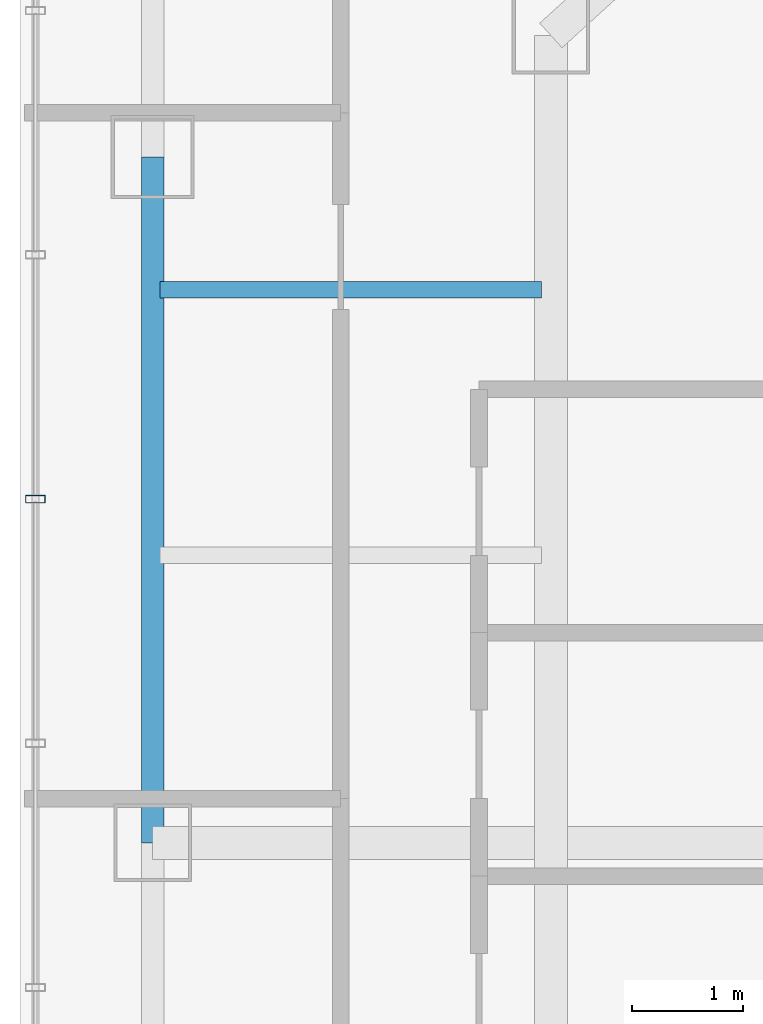
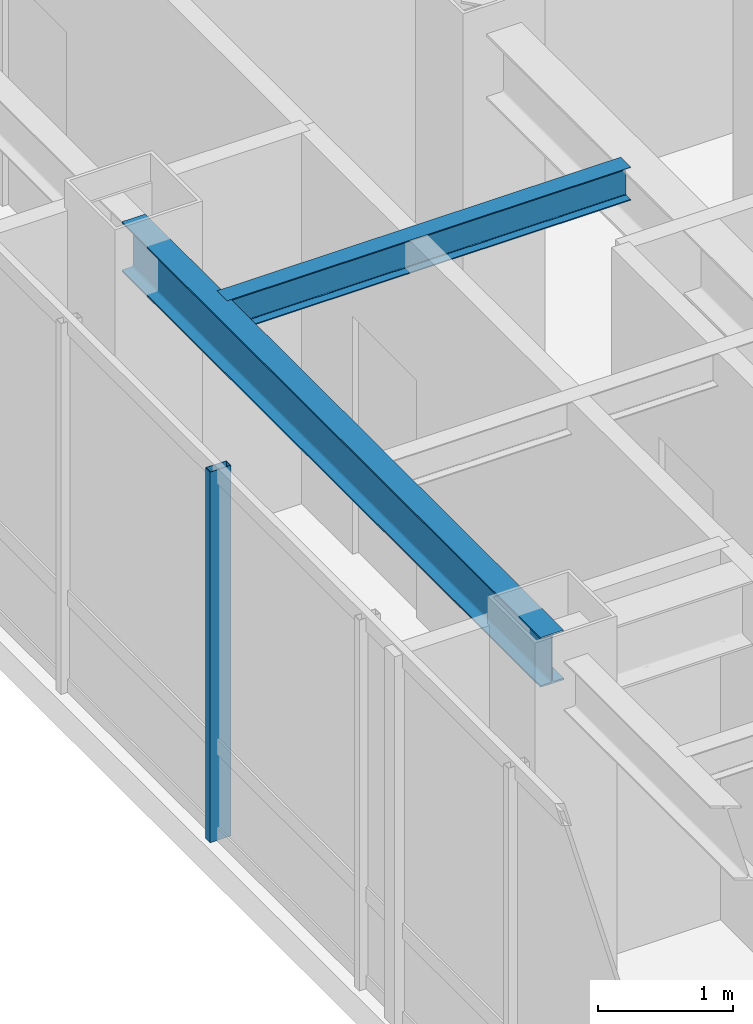
# One storey, part 8 of 24: 2 beams, 1 member, 1 element without a shape of its own.
"""IFC4 building model written with IfcOpenShell, lengths in metres."""

from ifc_helpers import new_model, si_unit, direction, frame, origin, origin_2d, place, context, subcontext, project, spatial, hollow_rectangle, i_section, extrude, material, layer, layer_set, material_profile, profile_set, type_object, element, aggregate, save


model = new_model("IFC4")

# Units and contexts
model_context = context("Model", 3, precision=1e-05, world=origin(), true_north=direction((0.0, 1.0)))
body_context = subcontext(model_context, "Body", "Model", "MODEL_VIEW")
ifc_project = project(units=[si_unit("LENGTHUNIT", "METRE"), si_unit("AREAUNIT", "SQUARE_METRE"), si_unit("VOLUMEUNIT", "CUBIC_METRE"), si_unit("PLANEANGLEUNIT", "RADIAN"), si_unit("MASSUNIT", "GRAM", prefix="KILO")], contexts=[model_context])

# Site, building, storey
site_placement = place(None, origin())
site = spatial("IfcSite", under=ifc_project, at=site_placement, CompositionType="ELEMENT")
building_placement = place(site_placement, origin())
building = spatial("IfcBuilding", under=site, at=building_placement, Name="Hatsunagi Terrace Concourse", CompositionType="ELEMENT")
storey_placement = place(building_placement, frame((0.0, 0.0, 213.14990234375)))
storey = spatial("IfcBuildingStorey", under=building, at=storey_placement, Name="L56", CompositionType="ELEMENT", Elevation=213.14990234375)

# Curtain wall, member
ifc_material_1 = material(Name="Anodised Aluminium Alloy 6063-T5", Category="aluminium")
ifc_layer = layer(ifc_material_1, 0.199951171875)
ifc_layer_set = layer_set([ifc_layer], Name="OfficeZone2_CW04")
curtain_wall_type = type_object("IfcCurtainWallType", Name="OfficeZone2_CW04", PredefinedType="NOTDEFINED", material=ifc_layer_set)
curtain_wall_placement = place(storey_placement, origin())
curtain_wall = element("IfcCurtainWall", 1, at=curtain_wall_placement, inside=storey, type_object=curtain_wall_type, Name="Unitised Curtain Wall CW-04 CW-L56-08", PredefinedType="NOTDEFINED")
ifc_material_2 = material(Name="Anodised Aluminium Alloy 6063-T5", Category="aluminium")
ifc_material_profile_1 = material_profile(ifc_material_2, hollow_rectangle(XDim=0.070068359375, YDim=0.179931640625, WallThickness=0.00390625, at=origin_2d()), Name="ALU-MUL-180x70x4")
ifc_profile_set_1 = profile_set([ifc_material_profile_1], Name="Anodised Aluminium Alloy 6063-T5")
member_type = type_object("IfcMemberType", Name="CurtainWallMullion_180x70", PredefinedType="MULLION", material=ifc_profile_set_1)
member_placement = place(storey_placement, frame((18.139892578125, 39.10791015625, 0.0), z_axis=(0.0, 0.0, 1.0), x_axis=(0.0, 1.0, 0.0)))
member = element("IfcMember", 2, at=member_placement, type_object=member_type, Name="Curtain Wall Mullion MUL-02", PredefinedType="MULLION", context=body_context, shape_type="SweptSolid", body=[
    extrude(hollow_rectangle(XDim=0.070068359375, YDim=0.179931640625, WallThickness=0.00390625, at=origin_2d()), origin(), (0.0, 0.0, 1.0), 3.35009765625),
])
aggregate(curtain_wall, [member])

# Beams
ifc_material_3 = material(Name="Steel SN490B", Category="steel")
ifc_material_profile_2 = material_profile(ifc_material_3, i_section(OverallWidth=0.14990234375, OverallDepth=0.300048828125, WebThickness=0.006591796875, FlangeThickness=0.009033203125, FilletRadius=0.010986328125, at=origin_2d()), Name="H-300x150x6.5x9")
ifc_profile_set_2 = profile_set([ifc_material_profile_2], Name="Steel SN490B")
beam_type_1 = type_object("IfcBeamType", Name="OfficeJoist_H_300x150", PredefinedType="JOIST", material=ifc_profile_set_2)
beam_1_placement = place(storey_placement, frame((19.264892578125, 41.0, 3.2001953125), z_axis=(1.0, 0.0, 0.0), x_axis=(0.0, 1.0, 0.0)))
element("IfcBeam", 3, at=beam_1_placement, inside=storey, type_object=beam_type_1, Name="Beam J-03 J-L56-W-19-410", PredefinedType="JOIST", context=body_context, shape_type="SweptSolid", body=[
    extrude(i_section(OverallWidth=0.14990234375, OverallDepth=0.300048828125, WebThickness=0.006591796875, FlangeThickness=0.009033203125, FilletRadius=0.010986328125, at=origin_2d()), origin(), (0.0, 0.0, 1.0), 3.4501953125),
])
ifc_material_4 = material(Name="Steel SN490B", Category="steel")
ifc_material_profile_3 = material_profile(ifc_material_4, i_section(OverallWidth=0.199951171875, OverallDepth=0.449951171875, WebThickness=0.009033203125, FlangeThickness=0.013916015625, FilletRadius=0.01611328125, at=origin_2d()), Name="H-450x200x9x14")
ifc_profile_set_3 = profile_set([ifc_material_profile_3], Name="Steel SN490B")
beam_type_2 = type_object("IfcBeamType", Name="PerimeterSpandrel_H_450x200", PredefinedType="SPANDREL", material=ifc_profile_set_3)
beam_2_placement = place(storey_placement, frame((19.199951171875, 36.0, 3.125), z_axis=(0.0, 1.0, 0.0), x_axis=(-1.0, 0.0, 0.0)))
element("IfcBeam", 4, at=beam_2_placement, inside=storey, type_object=beam_type_2, Name="Beam SP-02 BM-L56-NS-19-36", PredefinedType="SPANDREL", context=body_context, shape_type="SweptSolid", body=[
    extrude(i_section(OverallWidth=0.199951171875, OverallDepth=0.449951171875, WebThickness=0.009033203125, FlangeThickness=0.013916015625, FilletRadius=0.01611328125, at=origin_2d()), origin(), (0.0, 0.0, 1.0), 6.199951171875),
])

save(model, "model.ifc")
